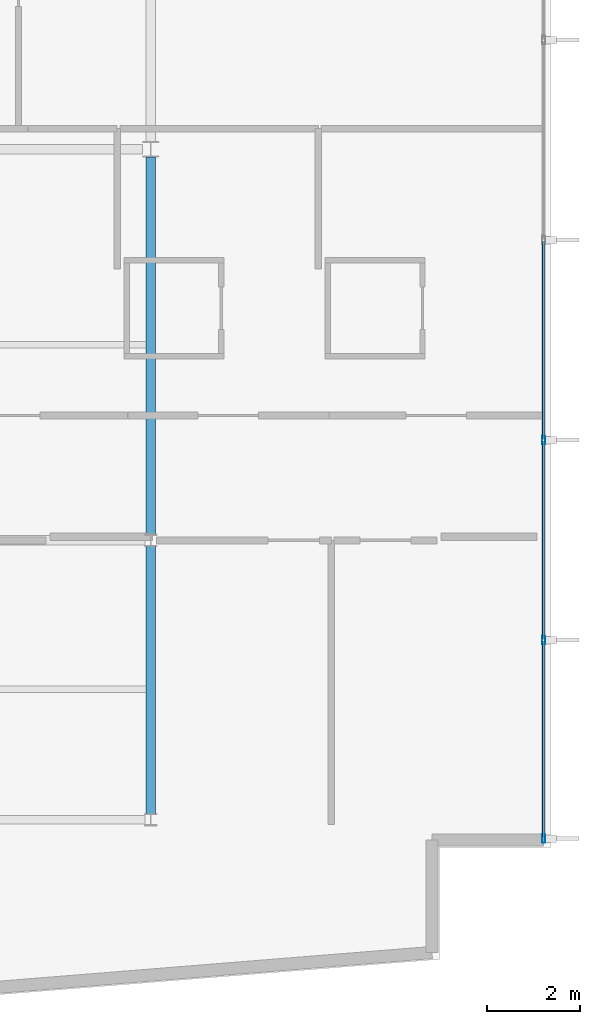
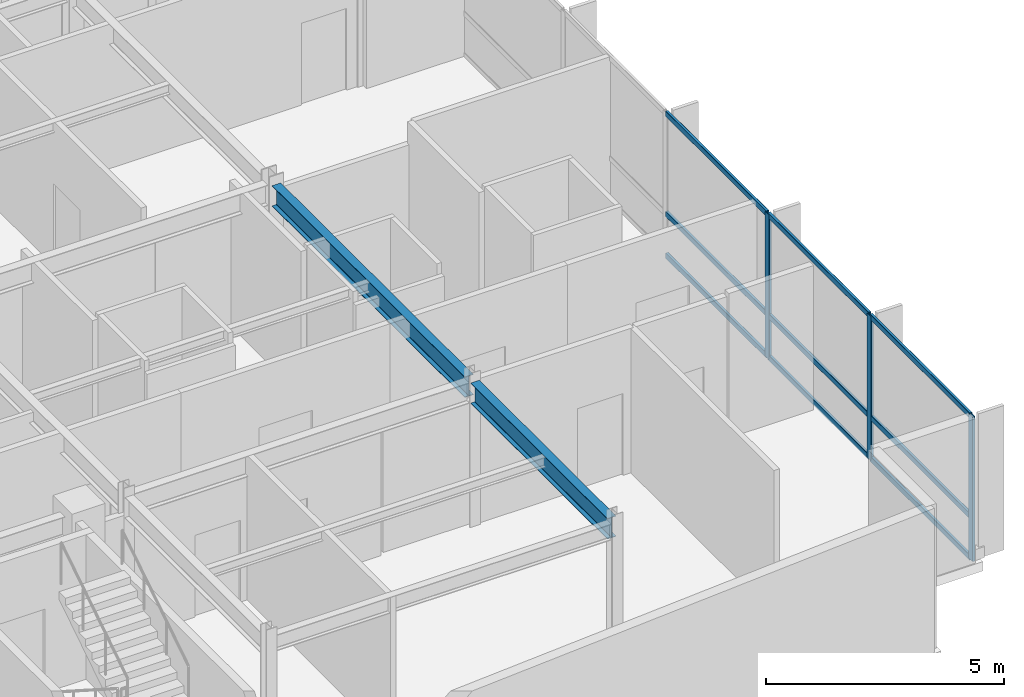
# One storey, part 7 of 16: 12 members, 2 beams, 1 element without a shape of its own.
"""IFC4 building model written with IfcOpenShell, lengths in metres."""

from ifc_helpers import new_model, si_unit, direction, frame, origin, origin_2d, place, context, subcontext, project, spatial, hollow_rectangle, i_section, extrude, material, layer, layer_set, material_profile, profile_set, type_object, element, aggregate, save


model = new_model("IFC4")

# Units and contexts
model_context = context("Model", 3, precision=1e-05, world=origin(), true_north=direction((0.0, 1.0)))
body_context = subcontext(model_context, "Body", "Model", "MODEL_VIEW")
ifc_project = project(units=[si_unit("LENGTHUNIT", "METRE"), si_unit("AREAUNIT", "SQUARE_METRE"), si_unit("VOLUMEUNIT", "CUBIC_METRE"), si_unit("PLANEANGLEUNIT", "RADIAN"), si_unit("MASSUNIT", "GRAM", prefix="KILO")], contexts=[model_context])

# Site, building, storey
site_placement = place(None, origin())
site = spatial("IfcSite", under=ifc_project, at=site_placement, CompositionType="ELEMENT")
building_placement = place(site_placement, origin())
building = spatial("IfcBuilding", under=site, at=building_placement, Name="Varnakote Quay Hospital", CompositionType="ELEMENT")
storey_placement = place(building_placement, frame((0.0, 0.0, 260.5)))
storey = spatial("IfcBuildingStorey", under=building, at=storey_placement, Name="L64", CompositionType="ELEMENT", Elevation=260.5)

# Beams
ifc_material_1 = material(Name="Structural steel AS/NZS 3679.1 Grade 350 L0 (fy 340 MPa)", Category="steel")
ifc_material_profile_1 = material_profile(ifc_material_1, i_section(OverallWidth=0.208984375, OverallDepth=0.528076171875, WebThickness=0.009521484375, FlangeThickness=0.01318359375, FilletRadius=0.013916015625, at=origin_2d()), Name="530UB82.0")
ifc_profile_set_1 = profile_set([ifc_material_profile_1], Name="Structural steel AS/NZS 3679.1 Grade 350 L0 (fy 340 MPa)")
beam_type = type_object("IfcBeamType", Name="BM-STL-530UB82-0", PredefinedType="BEAM", material=ifc_profile_set_1)
beam_1_placement = place(storey_placement, frame((33.60009765625, 6.126953125, 3.446044921875), z_axis=(0.0, 1.0, 0.0), x_axis=(-1.0, 0.0, 0.0)))
element("IfcBeam", 1, at=beam_1_placement, inside=storey, type_object=beam_type, Name="L64 Primary Tie Beam", PredefinedType="BEAM", context=body_context, shape_type="SweptSolid", body=[
    extrude(i_section(OverallWidth=0.208984375, OverallDepth=0.528076171875, WebThickness=0.009521484375, FlangeThickness=0.01318359375, FilletRadius=0.013916015625, at=origin_2d()), origin(), (0.0, 0.0, 1.0), 5.74609375),
])
beam_2_placement = place(storey_placement, frame((33.60009765625, 12.126953125, 3.446044921875), z_axis=(0.0, 1.0, 0.0), x_axis=(-1.0, 0.0, 0.0)))
element("IfcBeam", 2, at=beam_2_placement, inside=storey, type_object=beam_type, Name="L64 Primary Tie Beam", PredefinedType="BEAM", context=body_context, shape_type="SweptSolid", body=[
    extrude(i_section(OverallWidth=0.208984375, OverallDepth=0.528076171875, WebThickness=0.009521484375, FlangeThickness=0.01318359375, FilletRadius=0.013916015625, at=origin_2d()), origin(), (0.0, 0.0, 1.0), 8.10302734375),
])

# Curtain wall, members
ifc_material_2 = material(Name="Anodised aluminium 6063-T6 Bronze", Category="aluminium")
ifc_layer = layer(ifc_material_2, 0.235107421875)
ifc_layer_set = layer_set([ifc_layer], Name="Anodised aluminium 6063-T6 Bronze")
curtain_wall_type = type_object("IfcCurtainWallType", Name="CW-SYS-5", PredefinedType="NOTDEFINED", material=ifc_layer_set)
curtain_wall_placement = place(storey_placement, origin())
curtain_wall = element("IfcCurtainWall", 3, at=curtain_wall_placement, inside=storey, type_object=curtain_wall_type, Name="L64 Unitised Bronze Curtain Wall 1", PredefinedType="NOTDEFINED")
ifc_material_3 = material(Name="Anodised aluminium 6063-T6 Bronze", Category="aluminium")
ifc_material_profile_2 = material_profile(ifc_material_3, hollow_rectangle(XDim=0.06494140625, YDim=0.179931640625, WallThickness=0.00390625, InnerFilletRadius=0.00390625, OuterFilletRadius=0.008056640625, at=origin_2d()), Name="CW-MULL-180x65")
ifc_profile_set_2 = profile_set([ifc_material_profile_2], Name="Anodised aluminium 6063-T6 Bronze")
member_type_1 = type_object("IfcMemberType", Name="CW-MULL-180x65", PredefinedType="MULLION", material=ifc_profile_set_2)
member_1_placement = place(storey_placement, frame((42.0400390625, 5.592529296875, 0.0), z_axis=(0.0, 0.0, 1.0), x_axis=(-1.0, 0.0, 0.0)))
member_1 = element("IfcMember", 4, at=member_1_placement, type_object=member_type_1, Name="-5-L64-1 mullion 1", PredefinedType="MULLION", context=body_context, shape_type="SweptSolid", body=[
    extrude(hollow_rectangle(XDim=0.06494140625, YDim=0.179931640625, WallThickness=0.00390625, InnerFilletRadius=0.00390625, OuterFilletRadius=0.008056640625, at=origin_2d()), origin(), (0.0, 0.0, 1.0), 3.7099609375),
])
member_2_placement = place(storey_placement, frame((42.0400390625, 9.85595703125, 0.0), z_axis=(0.0, 0.0, 1.0), x_axis=(-1.0, 0.0, 0.0)))
member_2 = element("IfcMember", 5, at=member_2_placement, type_object=member_type_1, Name="-5-L64-1 mullion 2", PredefinedType="MULLION", context=body_context, shape_type="SweptSolid", body=[
    extrude(hollow_rectangle(XDim=0.06494140625, YDim=0.179931640625, WallThickness=0.00390625, InnerFilletRadius=0.00390625, OuterFilletRadius=0.008056640625, at=origin_2d()), origin(), (0.0, 0.0, 1.0), 3.7099609375),
])
member_3_placement = place(storey_placement, frame((42.0400390625, 14.152099609375, 0.0), z_axis=(0.0, 0.0, 1.0), x_axis=(-1.0, 0.0, 0.0)))
member_3 = element("IfcMember", 6, at=member_3_placement, type_object=member_type_1, Name="-5-L64-1 mullion 3", PredefinedType="MULLION", context=body_context, shape_type="SweptSolid", body=[
    extrude(hollow_rectangle(XDim=0.06494140625, YDim=0.179931640625, WallThickness=0.00390625, InnerFilletRadius=0.00390625, OuterFilletRadius=0.008056640625, at=origin_2d()), origin(), (0.0, 0.0, 1.0), 3.7099609375),
])
ifc_material_4 = material(Name="Anodised aluminium 6063-T6 Bronze", Category="aluminium")
ifc_material_profile_3 = material_profile(ifc_material_4, hollow_rectangle(XDim=0.06494140625, YDim=0.139892578125, WallThickness=0.00390625, InnerFilletRadius=0.00390625, OuterFilletRadius=0.007568359375, at=origin_2d()), Name="CW-TRAN-140x65")
ifc_profile_set_3 = profile_set([ifc_material_profile_3], Name="Anodised aluminium 6063-T6 Bronze")
member_type_2 = type_object("IfcMemberType", Name="CW-TRAN-140x65", PredefinedType="USERDEFINED", material=ifc_profile_set_3)
member_4_placement = place(storey_placement, frame((42.0400390625, 5.625, 0.032470703125), z_axis=(0.0, 1.0, 0.0), x_axis=(-1.0, 0.0, 0.0)))
member_4 = element("IfcMember", 7, at=member_4_placement, type_object=member_type_2, Name="-5-L64-1 transom 1.1", ObjectType="TRANSOM", PredefinedType="USERDEFINED", context=body_context, shape_type="SweptSolid", body=[
    extrude(hollow_rectangle(XDim=0.06494140625, YDim=0.139892578125, WallThickness=0.00390625, InnerFilletRadius=0.00390625, OuterFilletRadius=0.007568359375, at=origin_2d()), origin(), (0.0, 0.0, 1.0), 4.198486328125),
])
member_5_placement = place(storey_placement, frame((42.0400390625, 5.625, 1.10009765625), z_axis=(0.0, 1.0, 0.0), x_axis=(-1.0, 0.0, 0.0)))
member_5 = element("IfcMember", 8, at=member_5_placement, type_object=member_type_2, Name="-5-L64-1 transom 1.2", ObjectType="TRANSOM", PredefinedType="USERDEFINED", context=body_context, shape_type="SweptSolid", body=[
    extrude(hollow_rectangle(XDim=0.06494140625, YDim=0.139892578125, WallThickness=0.00390625, InnerFilletRadius=0.00390625, OuterFilletRadius=0.007568359375, at=origin_2d()), origin(), (0.0, 0.0, 1.0), 4.198486328125),
])
member_6_placement = place(storey_placement, frame((42.0400390625, 5.625, 3.677490234375), z_axis=(0.0, 1.0, 0.0), x_axis=(-1.0, 0.0, 0.0)))
member_6 = element("IfcMember", 9, at=member_6_placement, type_object=member_type_2, Name="-5-L64-1 transom 1.3", ObjectType="TRANSOM", PredefinedType="USERDEFINED", context=body_context, shape_type="SweptSolid", body=[
    extrude(hollow_rectangle(XDim=0.06494140625, YDim=0.139892578125, WallThickness=0.00390625, InnerFilletRadius=0.00390625, OuterFilletRadius=0.007568359375, at=origin_2d()), origin(), (0.0, 0.0, 1.0), 4.198486328125),
])
member_7_placement = place(storey_placement, frame((42.0400390625, 9.888427734375, 0.032470703125), z_axis=(0.0, 1.0, 0.0), x_axis=(-1.0, 0.0, 0.0)))
member_7 = element("IfcMember", 10, at=member_7_placement, type_object=member_type_2, Name="-5-L64-1 transom 2.1", ObjectType="TRANSOM", PredefinedType="USERDEFINED", context=body_context, shape_type="SweptSolid", body=[
    extrude(hollow_rectangle(XDim=0.06494140625, YDim=0.139892578125, WallThickness=0.00390625, InnerFilletRadius=0.00390625, OuterFilletRadius=0.007568359375, at=origin_2d()), origin(), (0.0, 0.0, 1.0), 4.23095703125),
])
member_8_placement = place(storey_placement, frame((42.0400390625, 9.888427734375, 1.10009765625), z_axis=(0.0, 1.0, 0.0), x_axis=(-1.0, 0.0, 0.0)))
member_8 = element("IfcMember", 11, at=member_8_placement, type_object=member_type_2, Name="-5-L64-1 transom 2.2", ObjectType="TRANSOM", PredefinedType="USERDEFINED", context=body_context, shape_type="SweptSolid", body=[
    extrude(hollow_rectangle(XDim=0.06494140625, YDim=0.139892578125, WallThickness=0.00390625, InnerFilletRadius=0.00390625, OuterFilletRadius=0.007568359375, at=origin_2d()), origin(), (0.0, 0.0, 1.0), 4.23095703125),
])
member_9_placement = place(storey_placement, frame((42.0400390625, 9.888427734375, 3.677490234375), z_axis=(0.0, 1.0, 0.0), x_axis=(-1.0, 0.0, 0.0)))
member_9 = element("IfcMember", 12, at=member_9_placement, type_object=member_type_2, Name="-5-L64-1 transom 2.3", ObjectType="TRANSOM", PredefinedType="USERDEFINED", context=body_context, shape_type="SweptSolid", body=[
    extrude(hollow_rectangle(XDim=0.06494140625, YDim=0.139892578125, WallThickness=0.00390625, InnerFilletRadius=0.00390625, OuterFilletRadius=0.007568359375, at=origin_2d()), origin(), (0.0, 0.0, 1.0), 4.23095703125),
])
member_10_placement = place(storey_placement, frame((42.0400390625, 14.1845703125, 0.032470703125), z_axis=(0.0, 1.0, 0.0), x_axis=(-1.0, 0.0, 0.0)))
member_10 = element("IfcMember", 13, at=member_10_placement, type_object=member_type_2, Name="-5-L64-1 transom 3.1", ObjectType="TRANSOM", PredefinedType="USERDEFINED", context=body_context, shape_type="SweptSolid", body=[
    extrude(hollow_rectangle(XDim=0.06494140625, YDim=0.139892578125, WallThickness=0.00390625, InnerFilletRadius=0.00390625, OuterFilletRadius=0.007568359375, at=origin_2d()), origin(), (0.0, 0.0, 1.0), 4.23095703125),
])
member_11_placement = place(storey_placement, frame((42.0400390625, 14.1845703125, 1.10009765625), z_axis=(0.0, 1.0, 0.0), x_axis=(-1.0, 0.0, 0.0)))
member_11 = element("IfcMember", 14, at=member_11_placement, type_object=member_type_2, Name="-5-L64-1 transom 3.2", ObjectType="TRANSOM", PredefinedType="USERDEFINED", context=body_context, shape_type="SweptSolid", body=[
    extrude(hollow_rectangle(XDim=0.06494140625, YDim=0.139892578125, WallThickness=0.00390625, InnerFilletRadius=0.00390625, OuterFilletRadius=0.007568359375, at=origin_2d()), origin(), (0.0, 0.0, 1.0), 4.23095703125),
])
member_12_placement = place(storey_placement, frame((42.0400390625, 14.1845703125, 3.677490234375), z_axis=(0.0, 1.0, 0.0), x_axis=(-1.0, 0.0, 0.0)))
member_12 = element("IfcMember", 15, at=member_12_placement, type_object=member_type_2, Name="-5-L64-1 transom 3.3", ObjectType="TRANSOM", PredefinedType="USERDEFINED", context=body_context, shape_type="SweptSolid", body=[
    extrude(hollow_rectangle(XDim=0.06494140625, YDim=0.139892578125, WallThickness=0.00390625, InnerFilletRadius=0.00390625, OuterFilletRadius=0.007568359375, at=origin_2d()), origin(), (0.0, 0.0, 1.0), 4.23095703125),
])
aggregate(curtain_wall, [member_1, member_2, member_3, member_4, member_5, member_6, member_7, member_8, member_9, member_10, member_11, member_12])

save(model, "model.ifc")
